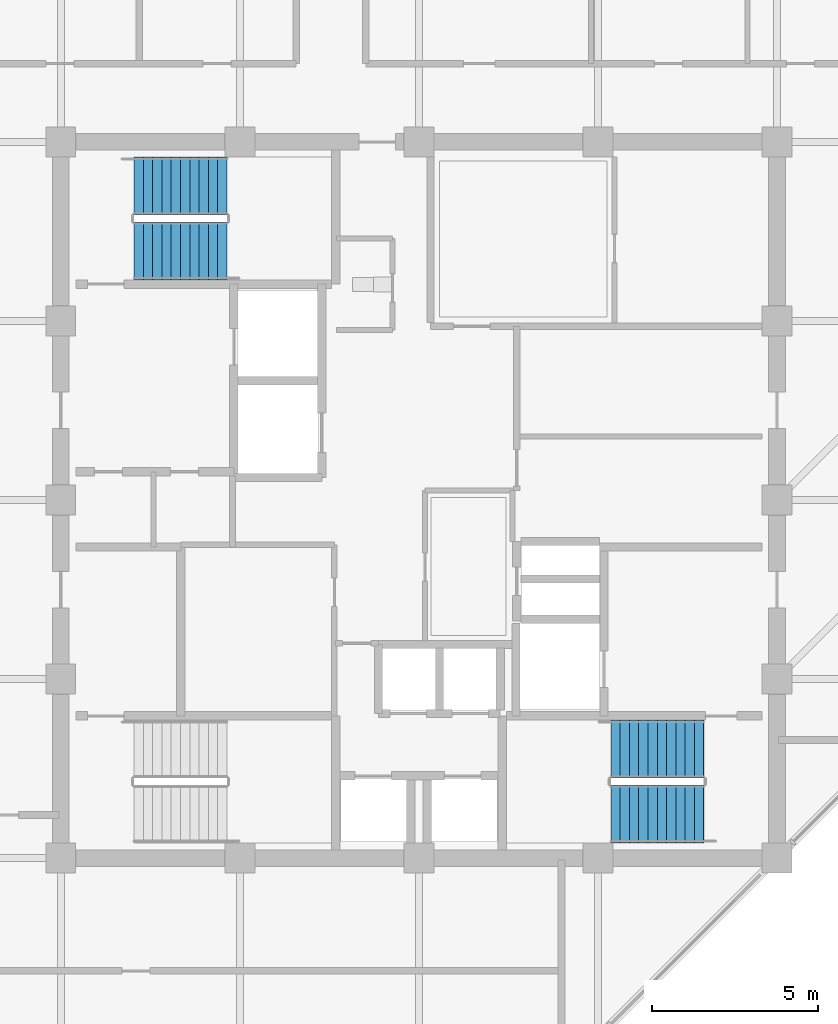
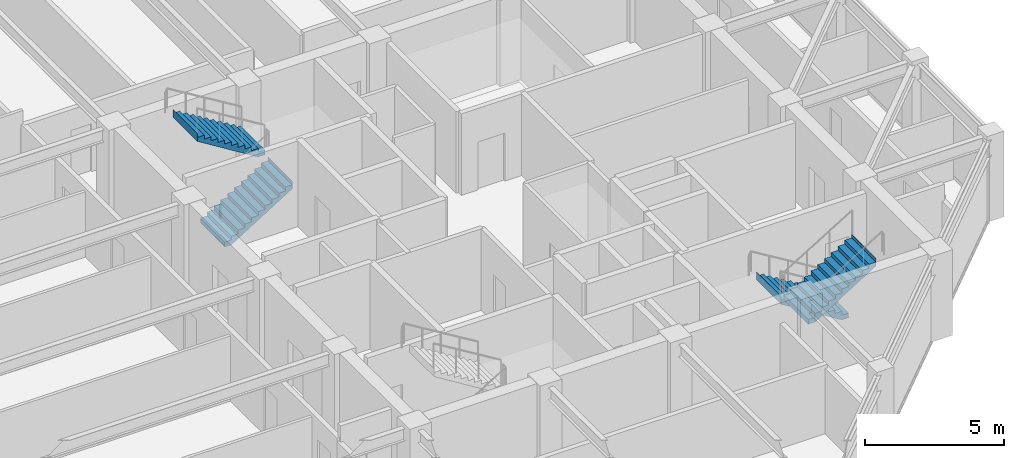
# One storey, part 29 of 31: 4 stair flights, 2 elements without a shape of their own.
"""IFC4 building model written with IfcOpenShell, lengths in metres."""

from ifc_helpers import new_model, si_unit, direction, frame, origin, place, context, subcontext, project, spatial, polyline, outline, extrude, material, type_object, element, aggregate, save


model = new_model("IFC4")

# Units and contexts
model_context = context("Model", 3, precision=1e-05, world=origin(), true_north=direction((0.0, 1.0)))
body_context = subcontext(model_context, "Body", "Model", "MODEL_VIEW")
ifc_project = project(units=[si_unit("LENGTHUNIT", "METRE"), si_unit("AREAUNIT", "SQUARE_METRE"), si_unit("VOLUMEUNIT", "CUBIC_METRE"), si_unit("PLANEANGLEUNIT", "RADIAN"), si_unit("MASSUNIT", "GRAM", prefix="KILO")], contexts=[model_context])

# Site, building, storey
site_placement = place(None, origin())
site = spatial("IfcSite", under=ifc_project, at=site_placement, CompositionType="ELEMENT")
building_placement = place(site_placement, origin())
building = spatial("IfcBuilding", under=site, at=building_placement, Name="Surkhivell Harbour Commons", CompositionType="ELEMENT")
storey_placement = place(building_placement, frame((0.0, 0.0, 285.0)))
storey = spatial("IfcBuildingStorey", under=building, at=storey_placement, Name="L74", CompositionType="ELEMENT", Elevation=285.0)

# Stair, stair flights
ifc_material = material(Name="Precast concrete C45/55", Category="concrete")
stair_type = type_object("IfcStairType", Name="STR-DL-375", PredefinedType="HALF_TURN_STAIR", material=ifc_material)
stair_1_placement = place(storey_placement, origin())
stair_1 = element("IfcStair", 1, at=stair_1_placement, inside=storey, type_object=stair_type, Name="L74 Core Exit Stair ST1", PredefinedType="HALF_TURN_STAIR")
stair_flight_type = type_object("IfcStairFlightType", Name="STF-DL-375", PredefinedType="STRAIGHT", material=ifc_material)
stair_flight_1_placement = place(storey_placement, frame((-8.590087890625, 7.514892578125, 0.0), z_axis=(0.0, 0.0, 1.0), x_axis=(1.0, 0.0, 0.0)))
stair_flight_1 = element("IfcStairFlight", 2, at=stair_flight_1_placement, type_object=stair_flight_type, Name="ST1 flight 1", NumberOfRisers=11, NumberOfTreads=10, PredefinedType="STRAIGHT", RiserHeight=0.170454545, TreadLength=0.28, context=body_context, shape_type="SweptSolid", body=[
    extrude(outline(polyline([(-0.0029296875, -0.034912109375), (-0.0029296875, 0.0), (0.0, 0.0), (0.0, 0.17041015625), (0.280029296875, 0.17041015625), (0.280029296875, 0.3408203125), (0.56005859375, 0.3408203125), (0.56005859375, 0.511474609375), (0.840087890625, 0.511474609375), (0.840087890625, 0.681884765625), (1.1201171875, 0.681884765625), (1.1201171875, 0.852294921875), (1.39990234375, 0.852294921875), (1.39990234375, 1.022705078125), (1.679931640625, 1.022705078125), (1.679931640625, 1.193115234375), (1.9599609375, 1.193115234375), (1.9599609375, 1.363525390625), (2.239990234375, 1.363525390625), (2.239990234375, 1.5341796875), (2.52001953125, 1.5341796875), (2.52001953125, 1.70458984375), (2.800048828125, 1.70458984375), (2.800048828125, 1.875), (2.802978515625, 1.875), (2.802978515625, 1.529052734375), (0.288330078125, -0.034912109375), (-0.0029296875, -0.034912109375)])), frame((0.0, 0.875, 0.0), z_axis=(0.0, -1.0, 0.0), x_axis=(1.0, 0.0, 0.0)), (0.0, 0.0, 1.0), 1.75),
])
stair_flight_2_placement = place(storey_placement, frame((-5.7900390625, 9.465087890625, 1.875), z_axis=(0.0, 0.0, 1.0), x_axis=(-1.0, 0.0, 0.0)))
stair_flight_2 = element("IfcStairFlight", 3, at=stair_flight_2_placement, type_object=stair_flight_type, Name="ST1 flight 2", NumberOfRisers=11, NumberOfTreads=10, PredefinedType="STRAIGHT", RiserHeight=0.170454545, TreadLength=0.28, context=body_context, shape_type="SweptSolid", body=[
    extrude(outline(polyline([(-0.0029296875, -0.034912109375), (-0.0029296875, 0.0), (0.0, 0.0), (0.0, 0.17041015625), (0.280029296875, 0.17041015625), (0.280029296875, 0.3408203125), (0.56005859375, 0.3408203125), (0.56005859375, 0.511474609375), (0.840087890625, 0.511474609375), (0.840087890625, 0.681884765625), (1.1201171875, 0.681884765625), (1.1201171875, 0.852294921875), (1.39990234375, 0.852294921875), (1.39990234375, 1.022705078125), (1.679931640625, 1.022705078125), (1.679931640625, 1.193115234375), (1.9599609375, 1.193115234375), (1.9599609375, 1.363525390625), (2.239990234375, 1.363525390625), (2.239990234375, 1.5341796875), (2.52001953125, 1.5341796875), (2.52001953125, 1.70458984375), (2.800048828125, 1.70458984375), (2.800048828125, 1.875), (2.802978515625, 1.875), (2.802978515625, 1.529052734375), (0.288330078125, -0.034912109375), (-0.0029296875, -0.034912109375)])), frame((0.0, 0.875, 0.0), z_axis=(0.0, -1.0, 0.0), x_axis=(1.0, 0.0, 0.0)), (0.0, 0.0, 1.0), 1.75),
])
aggregate(stair_1, [stair_flight_1, stair_flight_2])

stair_2_placement = place(storey_placement, origin())
stair_2 = element("IfcStair", 4, at=stair_2_placement, inside=storey, type_object=stair_type, Name="L74 Core Exit Stair ST2", PredefinedType="HALF_TURN_STAIR")
stair_flight_3_placement = place(storey_placement, frame((8.590087890625, -7.514892578125, 0.0), z_axis=(0.0, 0.0, 1.0), x_axis=(-1.0, 0.0, 0.0)))
stair_flight_3 = element("IfcStairFlight", 5, at=stair_flight_3_placement, type_object=stair_flight_type, Name="ST2 flight 1", NumberOfRisers=11, NumberOfTreads=10, PredefinedType="STRAIGHT", RiserHeight=0.170454545, TreadLength=0.28, context=body_context, shape_type="SweptSolid", body=[
    extrude(outline(polyline([(-0.0029296875, -0.034912109375), (-0.0029296875, 0.0), (0.0, 0.0), (0.0, 0.17041015625), (0.280029296875, 0.17041015625), (0.280029296875, 0.3408203125), (0.56005859375, 0.3408203125), (0.56005859375, 0.511474609375), (0.840087890625, 0.511474609375), (0.840087890625, 0.681884765625), (1.1201171875, 0.681884765625), (1.1201171875, 0.852294921875), (1.39990234375, 0.852294921875), (1.39990234375, 1.022705078125), (1.679931640625, 1.022705078125), (1.679931640625, 1.193115234375), (1.9599609375, 1.193115234375), (1.9599609375, 1.363525390625), (2.239990234375, 1.363525390625), (2.239990234375, 1.5341796875), (2.52001953125, 1.5341796875), (2.52001953125, 1.70458984375), (2.800048828125, 1.70458984375), (2.800048828125, 1.875), (2.802978515625, 1.875), (2.802978515625, 1.529052734375), (0.288330078125, -0.034912109375), (-0.0029296875, -0.034912109375)])), frame((0.0, 0.875, 0.0), z_axis=(0.0, -1.0, 0.0), x_axis=(1.0, 0.0, 0.0)), (0.0, 0.0, 1.0), 1.75),
])
stair_flight_4_placement = place(storey_placement, frame((5.7900390625, -9.465087890625, 1.875), z_axis=(0.0, 0.0, 1.0), x_axis=(1.0, 0.0, 0.0)))
stair_flight_4 = element("IfcStairFlight", 6, at=stair_flight_4_placement, type_object=stair_flight_type, Name="ST2 flight 2", NumberOfRisers=11, NumberOfTreads=10, PredefinedType="STRAIGHT", RiserHeight=0.170454545, TreadLength=0.28, context=body_context, shape_type="SweptSolid", body=[
    extrude(outline(polyline([(-0.0029296875, -0.034912109375), (-0.0029296875, 0.0), (0.0, 0.0), (0.0, 0.17041015625), (0.280029296875, 0.17041015625), (0.280029296875, 0.3408203125), (0.56005859375, 0.3408203125), (0.56005859375, 0.511474609375), (0.840087890625, 0.511474609375), (0.840087890625, 0.681884765625), (1.1201171875, 0.681884765625), (1.1201171875, 0.852294921875), (1.39990234375, 0.852294921875), (1.39990234375, 1.022705078125), (1.679931640625, 1.022705078125), (1.679931640625, 1.193115234375), (1.9599609375, 1.193115234375), (1.9599609375, 1.363525390625), (2.239990234375, 1.363525390625), (2.239990234375, 1.5341796875), (2.52001953125, 1.5341796875), (2.52001953125, 1.70458984375), (2.800048828125, 1.70458984375), (2.800048828125, 1.875), (2.802978515625, 1.875), (2.802978515625, 1.529052734375), (0.288330078125, -0.034912109375), (-0.0029296875, -0.034912109375)])), frame((0.0, 0.875, 0.0), z_axis=(0.0, -1.0, 0.0), x_axis=(1.0, 0.0, 0.0)), (0.0, 0.0, 1.0), 1.75),
])
aggregate(stair_2, [stair_flight_3, stair_flight_4])

save(model, "model.ifc")
